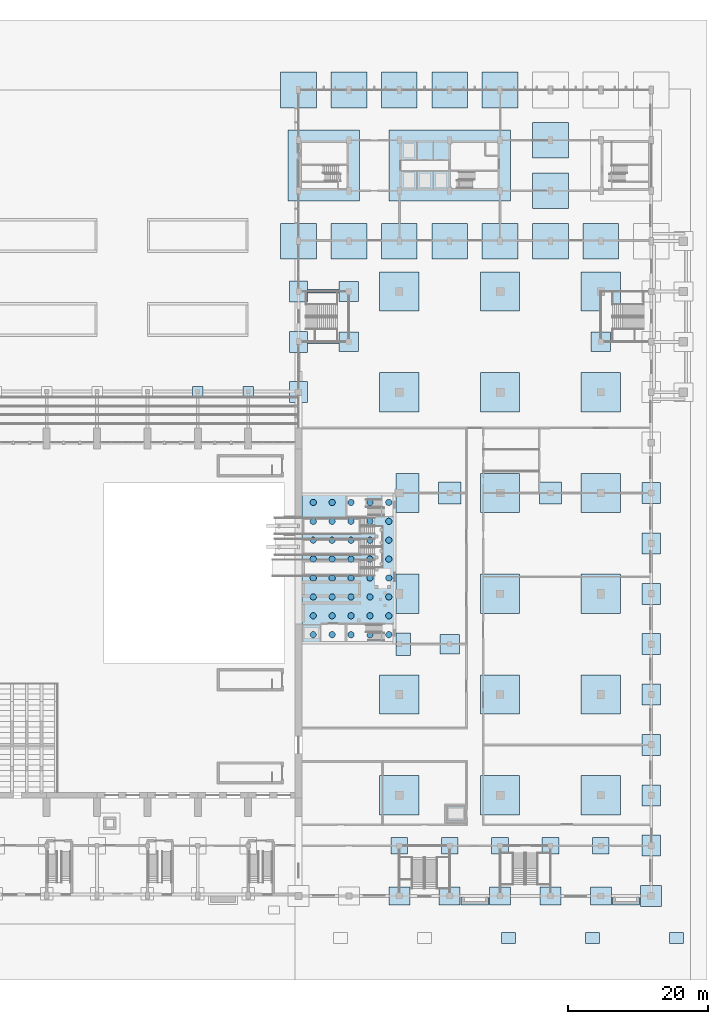
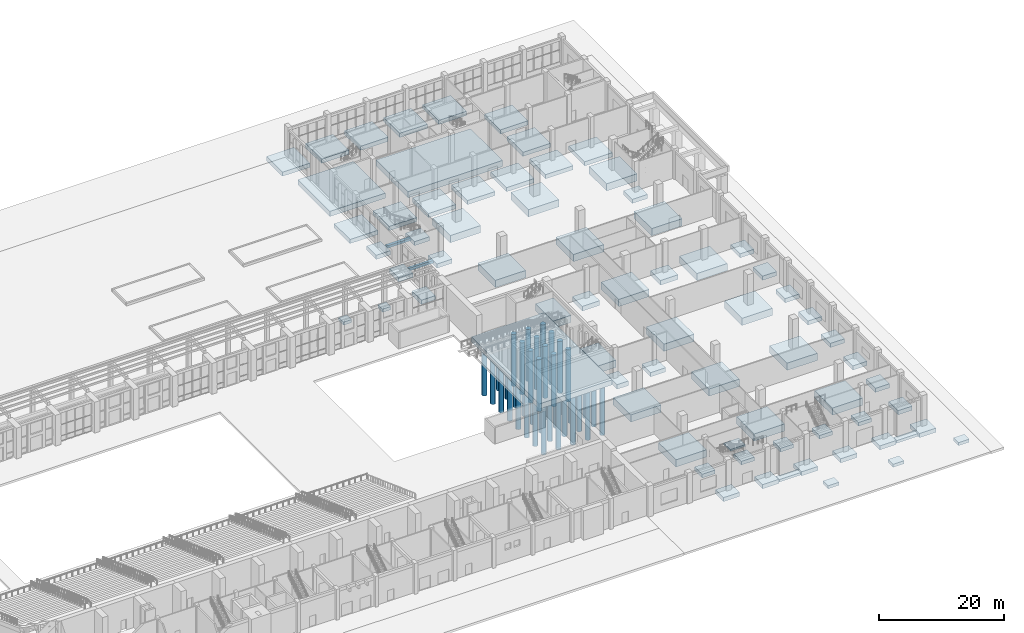
# One storey, part 2 of 70: 74 footings, 40 piles.
"""IFC4 building model written with IfcOpenShell, lengths in metres."""

from ifc_helpers import new_model, si_unit, direction, frame, origin, origin_2d, place, context, subcontext, project, spatial, polyline, rectangle, circle, outline, extrude, material, layer, layer_set, material_profile, profile_set, type_object, element, save


model = new_model("IFC4")

# Units and contexts
model_context = context("Model", 3, precision=1e-05, world=origin(), true_north=direction((0.0, 1.0)))
body_context = subcontext(model_context, "Body", "Model", "MODEL_VIEW")
ifc_project = project(units=[si_unit("LENGTHUNIT", "METRE"), si_unit("AREAUNIT", "SQUARE_METRE"), si_unit("VOLUMEUNIT", "CUBIC_METRE"), si_unit("PLANEANGLEUNIT", "RADIAN"), si_unit("MASSUNIT", "GRAM", prefix="KILO")], contexts=[model_context])

# Site, building, storey
site_placement = place(None, origin())
site = spatial("IfcSite", under=ifc_project, at=site_placement, CompositionType="ELEMENT")
building_placement = place(site_placement, origin())
building = spatial("IfcBuilding", under=site, at=building_placement, Name="Vermilion Court Aquatics Centre", CompositionType="ELEMENT")
storey_placement = place(building_placement, origin())
storey = spatial("IfcBuildingStorey", under=building, at=storey_placement, Name="L00", CompositionType="ELEMENT", Elevation=0.0)

# Footings
ifc_material_1 = material(Name="Concrete 5000 psi", Category="concrete")
ifc_layer_1 = layer(ifc_material_1, 0.60009765625)
ifc_layer_set_1 = layer_set([ifc_layer_1], Name="Court arcade pad footing 1500")
footing_type_1 = type_object("IfcFootingType", Name="Court arcade pad footing 1500", PredefinedType="PAD_FOOTING", material=ifc_layer_set_1)
footing_1_placement = place(storey_placement, frame((0.0, 0.0, -1.050048828125)))
element("IfcFooting", 1, at=footing_1_placement, inside=storey, type_object=footing_type_1, Name="Court arcade pad footing 17", PredefinedType="PAD_FOOTING", context=body_context, shape_type="SweptSolid", body=[
    extrude(outline(polyline([(128.85009765625, 71.35009765625), (130.35009765625, 71.35009765625), (130.35009765625, 72.85009765625), (128.85009765625, 72.85009765625), (128.85009765625, 71.35009765625)])), origin(), (0.0, 0.0, 1.0), 0.60009765625),
])
footing_2_placement = place(storey_placement, frame((0.0, 0.0, -1.050048828125)))
element("IfcFooting", 2, at=footing_2_placement, inside=storey, type_object=footing_type_1, Name="Court arcade pad footing 18", PredefinedType="PAD_FOOTING", context=body_context, shape_type="SweptSolid", body=[
    extrude(outline(polyline([(136.050048828125, 71.35009765625), (137.550048828125, 71.35009765625), (137.550048828125, 72.85009765625), (136.050048828125, 72.85009765625), (136.050048828125, 71.35009765625)])), origin(), (0.0, 0.0, 1.0), 0.60009765625),
])

# Piles
ifc_material_2 = material(Name="Concrete 5000 psi", Category="concrete")
ifc_material_profile = material_profile(ifc_material_2, circle(Radius=0.449951171875, at=origin_2d()), Name="D900")
ifc_profile_set = profile_set([ifc_material_profile], Name="Concrete 5000 psi")
pile_type = type_object("IfcPileType", Name="Hall diving tower bored pile 900", PredefinedType="BORED", material=ifc_profile_set)
for number, where, z_axis, x_axis, name in (
    (3, (146.10009765625, 37.35009765625, -1.304931640625), (0.0, 0.0, -1.0), (1.0, 0.0, 0.0), "Diving tower bored pile"),
    (4, (146.10009765625, 40.050048828125, -1.304931640625), (0.0, 0.0, -1.0), (1.0, 0.0, 0.0), "Diving tower bored pile"),
    (5, (146.10009765625, 42.75, -1.304931640625), (0.0, 0.0, -1.0), (1.0, 0.0, 0.0), "Diving tower bored pile"),
    (6, (146.10009765625, 45.449951171875, -1.304931640625), (0.0, 0.0, -1.0), (1.0, 0.0, 0.0), "Diving tower bored pile"),
    (7, (146.10009765625, 48.14990234375, -1.304931640625), (0.0, 0.0, -1.0), (1.0, 0.0, 0.0), "Diving tower bored pile"),
    (8, (146.10009765625, 50.85009765625, -1.304931640625), (0.0, 0.0, -1.0), (1.0, 0.0, 0.0), "Diving tower bored pile"),
    (9, (146.10009765625, 53.550048828125, -1.304931640625), (0.0, 0.0, -1.0), (1.0, 0.0, 0.0), "Diving tower bored pile"),
    (10, (146.10009765625, 56.25, -1.304931640625), (0.0, 0.0, -1.0), (1.0, 0.0, 0.0), "Diving tower bored pile"),
    (11, (148.800048828125, 37.35009765625, -1.304931640625), (0.0, 0.0, -1.0), (1.0, 0.0, 0.0), "Diving tower bored pile"),
    (12, (148.800048828125, 40.050048828125, -1.304931640625), (0.0, 0.0, -1.0), (1.0, 0.0, 0.0), "Diving tower bored pile"),
    (13, (148.800048828125, 42.75, -1.304931640625), (0.0, 0.0, -1.0), (1.0, 0.0, 0.0), "Diving tower bored pile"),
    (14, (148.800048828125, 45.449951171875, -1.304931640625), (0.0, 0.0, -1.0), (1.0, 0.0, 0.0), "Diving tower bored pile"),
    (15, (148.800048828125, 48.14990234375, -1.304931640625), (0.0, 0.0, -1.0), (1.0, 0.0, 0.0), "Diving tower bored pile"),
    (16, (148.800048828125, 50.85009765625, -1.304931640625), (0.0, 0.0, -1.0), (1.0, 0.0, 0.0), "Diving tower bored pile"),
    (17, (148.800048828125, 53.550048828125, -1.304931640625), (0.0, 0.0, -1.0), (1.0, 0.0, 0.0), "Diving tower bored pile"),
    (18, (148.800048828125, 56.25, -1.304931640625), (0.0, 0.0, -1.0), (1.0, 0.0, 0.0), "Diving tower bored pile"),
    (19, (151.5, 37.35009765625, -1.304931640625), (0.0, 0.0, -1.0), (1.0, 0.0, 0.0), "Diving tower bored pile"),
    (20, (151.5, 40.050048828125, -1.304931640625), (0.0, 0.0, -1.0), (1.0, 0.0, 0.0), "Diving tower bored pile"),
    (21, (151.5, 42.75, -1.304931640625), (0.0, 0.0, -1.0), (1.0, 0.0, 0.0), "Diving tower bored pile"),
    (22, (151.5, 45.449951171875, -1.304931640625), (0.0, 0.0, -1.0), (1.0, 0.0, 0.0), "Diving tower bored pile"),
    (23, (151.5, 48.14990234375, -1.304931640625), (0.0, 0.0, -1.0), (1.0, 0.0, 0.0), "Diving tower bored pile"),
    (24, (151.5, 50.85009765625, -1.304931640625), (0.0, 0.0, -1.0), (1.0, 0.0, 0.0), "Diving tower bored pile"),
    (25, (151.5, 53.550048828125, -1.304931640625), (0.0, 0.0, -1.0), (1.0, 0.0, 0.0), "Diving tower bored pile"),
    (26, (151.5, 56.25, -1.304931640625), (0.0, 0.0, -1.0), (1.0, 0.0, 0.0), "Diving tower bored pile"),
    (27, (154.199951171875, 37.35009765625, -1.304931640625), (0.0, 0.0, -1.0), (1.0, 0.0, 0.0), "Diving tower bored pile"),
    (28, (154.199951171875, 40.050048828125, -1.304931640625), (0.0, 0.0, -1.0), (1.0, 0.0, 0.0), "Diving tower bored pile"),
    (29, (154.199951171875, 42.75, -1.304931640625), (0.0, 0.0, -1.0), (1.0, 0.0, 0.0), "Diving tower bored pile"),
    (30, (154.199951171875, 45.449951171875, -1.304931640625), (0.0, 0.0, -1.0), (1.0, 0.0, 0.0), "Diving tower bored pile"),
    (31, (154.199951171875, 48.14990234375, -1.304931640625), (0.0, 0.0, -1.0), (1.0, 0.0, 0.0), "Diving tower bored pile"),
    (32, (154.199951171875, 50.85009765625, -1.304931640625), (0.0, 0.0, -1.0), (1.0, 0.0, 0.0), "Diving tower bored pile"),
    (33, (154.199951171875, 53.550048828125, -1.304931640625), (0.0, 0.0, -1.0), (1.0, 0.0, 0.0), "Diving tower bored pile"),
    (34, (154.199951171875, 56.25, -1.304931640625), (0.0, 0.0, -1.0), (1.0, 0.0, 0.0), "Diving tower bored pile"),
    (35, (156.89990234375, 37.35009765625, -1.304931640625), (0.0, 0.0, -1.0), (1.0, 0.0, 0.0), "Diving tower bored pile"),
    (36, (156.89990234375, 40.050048828125, -1.304931640625), (0.0, 0.0, -1.0), (1.0, 0.0, 0.0), "Diving tower bored pile"),
    (37, (156.89990234375, 42.75, -1.304931640625), (0.0, 0.0, -1.0), (1.0, 0.0, 0.0), "Diving tower bored pile"),
    (38, (156.89990234375, 45.449951171875, -1.304931640625), (0.0, 0.0, -1.0), (1.0, 0.0, 0.0), "Diving tower bored pile"),
    (39, (156.89990234375, 48.14990234375, -1.304931640625), (0.0, 0.0, -1.0), (1.0, 0.0, 0.0), "Diving tower bored pile"),
    (40, (156.89990234375, 50.85009765625, -1.304931640625), (0.0, 0.0, -1.0), (1.0, 0.0, 0.0), "Diving tower bored pile"),
    (41, (156.89990234375, 53.550048828125, -1.304931640625), (0.0, 0.0, -1.0), (1.0, 0.0, 0.0), "Diving tower bored pile"),
    (42, (156.89990234375, 56.25, -1.304931640625), (0.0, 0.0, -1.0), (1.0, 0.0, 0.0), "Diving tower bored pile"),
):
    element("IfcPile", number, at=place(storey_placement, frame(where, z_axis=z_axis, x_axis=x_axis)), inside=storey, type_object=pile_type, Name=name, PredefinedType="BORED", context=body_context, shape_type="SweptSolid", body=[
        extrude(circle(Radius=0.449951171875, at=origin_2d()), origin(), (0.0, 0.0, 1.0), 10.10009765625),
    ])

# Footings
ifc_material_3 = material(Name="Concrete 5000 psi", Category="concrete")
ifc_layer_2 = layer(ifc_material_3, 1.0)
ifc_layer_set_2 = layer_set([ifc_layer_2], Name="Hall diving tower pile cap raft 1000")
footing_type_2 = type_object("IfcFootingType", Name="Hall diving tower pile cap raft 1000", PredefinedType="PILE_CAP", material=ifc_layer_set_2)
footing_3_placement = place(storey_placement, frame((0.0, 0.0, -1.405029296875)))
element("IfcFooting", 43, at=footing_3_placement, inside=storey, type_object=footing_type_2, Name="Diving tower pile cap raft", PredefinedType="PILE_CAP", context=body_context, shape_type="SweptSolid", body=[
    extrude(outline(polyline([(144.5, 36.0), (157.89990234375, 36.0), (157.89990234375, 57.60009765625), (144.5, 57.60009765625), (144.5, 36.0)])), origin(), (0.0, 0.0, 1.0), 1.0),
])
ifc_material_4 = material(Name="Concrete 5000 psi", Category="concrete")
ifc_layer_3 = layer(ifc_material_4, 0.800048828125)
ifc_layer_set_3 = layer_set([ifc_layer_3], Name="North block column pad footing 5100x5100x800")
footing_type_3 = type_object("IfcFootingType", Name="North block column pad footing 5100x5100x800", PredefinedType="PAD_FOOTING", material=ifc_layer_set_3)
footing_4_placement = place(storey_placement, frame((0.0, 0.0, -1.5)))
element("IfcFooting", 44, at=footing_4_placement, inside=storey, type_object=footing_type_3, Name="Column pad 21P", PredefinedType="PAD_FOOTING", context=body_context, shape_type="SweptSolid", body=[
    extrude(outline(polyline([(141.449951171875, 91.050048828125), (146.550048828125, 91.050048828125), (146.550048828125, 96.14990234375), (141.449951171875, 96.14990234375), (141.449951171875, 91.050048828125)])), origin(), (0.0, 0.0, 1.0), 0.800048828125),
])
footing_5_placement = place(storey_placement, frame((0.0, 0.0, -1.5)))
element("IfcFooting", 45, at=footing_5_placement, inside=storey, type_object=footing_type_3, Name="Column pad 21S", PredefinedType="PAD_FOOTING", context=body_context, shape_type="SweptSolid", body=[
    extrude(outline(polyline([(141.449951171875, 112.64990234375), (146.550048828125, 112.64990234375), (146.550048828125, 117.75), (141.449951171875, 117.75), (141.449951171875, 112.64990234375)])), origin(), (0.0, 0.0, 1.0), 0.800048828125),
])
footing_6_placement = place(storey_placement, frame((0.0, 0.0, -1.5)))
element("IfcFooting", 46, at=footing_6_placement, inside=storey, type_object=footing_type_3, Name="Column pad 22P", PredefinedType="PAD_FOOTING", context=body_context, shape_type="SweptSolid", body=[
    extrude(outline(polyline([(148.64990234375, 91.050048828125), (153.75, 91.050048828125), (153.75, 96.14990234375), (148.64990234375, 96.14990234375), (148.64990234375, 91.050048828125)])), origin(), (0.0, 0.0, 1.0), 0.800048828125),
])
footing_7_placement = place(storey_placement, frame((0.0, 0.0, -1.5)))
element("IfcFooting", 47, at=footing_7_placement, inside=storey, type_object=footing_type_3, Name="Column pad 22S", PredefinedType="PAD_FOOTING", context=body_context, shape_type="SweptSolid", body=[
    extrude(outline(polyline([(148.64990234375, 112.64990234375), (153.75, 112.64990234375), (153.75, 117.75), (148.64990234375, 117.75), (148.64990234375, 112.64990234375)])), origin(), (0.0, 0.0, 1.0), 0.800048828125),
])
footing_8_placement = place(storey_placement, frame((0.0, 0.0, -1.5)))
element("IfcFooting", 48, at=footing_8_placement, inside=storey, type_object=footing_type_3, Name="Column pad 23P", PredefinedType="PAD_FOOTING", context=body_context, shape_type="SweptSolid", body=[
    extrude(outline(polyline([(155.85009765625, 91.050048828125), (160.949951171875, 91.050048828125), (160.949951171875, 96.14990234375), (155.85009765625, 96.14990234375), (155.85009765625, 91.050048828125)])), origin(), (0.0, 0.0, 1.0), 0.800048828125),
])
footing_9_placement = place(storey_placement, frame((0.0, 0.0, -1.5)))
element("IfcFooting", 49, at=footing_9_placement, inside=storey, type_object=footing_type_3, Name="Column pad 23S", PredefinedType="PAD_FOOTING", context=body_context, shape_type="SweptSolid", body=[
    extrude(outline(polyline([(155.85009765625, 112.64990234375), (160.949951171875, 112.64990234375), (160.949951171875, 117.75), (155.85009765625, 117.75), (155.85009765625, 112.64990234375)])), origin(), (0.0, 0.0, 1.0), 0.800048828125),
])
footing_10_placement = place(storey_placement, frame((0.0, 0.0, -1.5)))
element("IfcFooting", 50, at=footing_10_placement, inside=storey, type_object=footing_type_3, Name="Column pad 24P", PredefinedType="PAD_FOOTING", context=body_context, shape_type="SweptSolid", body=[
    extrude(outline(polyline([(163.050048828125, 91.050048828125), (168.14990234375, 91.050048828125), (168.14990234375, 96.14990234375), (163.050048828125, 96.14990234375), (163.050048828125, 91.050048828125)])), origin(), (0.0, 0.0, 1.0), 0.800048828125),
])
footing_11_placement = place(storey_placement, frame((0.0, 0.0, -1.5)))
element("IfcFooting", 51, at=footing_11_placement, inside=storey, type_object=footing_type_3, Name="Column pad 24S", PredefinedType="PAD_FOOTING", context=body_context, shape_type="SweptSolid", body=[
    extrude(outline(polyline([(163.050048828125, 112.64990234375), (168.14990234375, 112.64990234375), (168.14990234375, 117.75), (163.050048828125, 117.75), (163.050048828125, 112.64990234375)])), origin(), (0.0, 0.0, 1.0), 0.800048828125),
])
footing_12_placement = place(storey_placement, frame((0.0, 0.0, -1.5)))
element("IfcFooting", 52, at=footing_12_placement, inside=storey, type_object=footing_type_3, Name="Column pad 25P", PredefinedType="PAD_FOOTING", context=body_context, shape_type="SweptSolid", body=[
    extrude(outline(polyline([(170.25, 91.050048828125), (175.35009765625, 91.050048828125), (175.35009765625, 96.14990234375), (170.25, 96.14990234375), (170.25, 91.050048828125)])), origin(), (0.0, 0.0, 1.0), 0.800048828125),
])
footing_13_placement = place(storey_placement, frame((0.0, 0.0, -1.5)))
element("IfcFooting", 53, at=footing_13_placement, inside=storey, type_object=footing_type_3, Name="Column pad 25S", PredefinedType="PAD_FOOTING", context=body_context, shape_type="SweptSolid", body=[
    extrude(outline(polyline([(170.25, 112.64990234375), (175.35009765625, 112.64990234375), (175.35009765625, 117.75), (170.25, 117.75), (170.25, 112.64990234375)])), origin(), (0.0, 0.0, 1.0), 0.800048828125),
])
footing_14_placement = place(storey_placement, frame((0.0, 0.0, -1.5)))
element("IfcFooting", 54, at=footing_14_placement, inside=storey, type_object=footing_type_3, Name="Column pad 26P", PredefinedType="PAD_FOOTING", context=body_context, shape_type="SweptSolid", body=[
    extrude(outline(polyline([(177.449951171875, 91.050048828125), (182.550048828125, 91.050048828125), (182.550048828125, 96.14990234375), (177.449951171875, 96.14990234375), (177.449951171875, 91.050048828125)])), origin(), (0.0, 0.0, 1.0), 0.800048828125),
])
footing_15_placement = place(storey_placement, frame((0.0, 0.0, -1.5)))
element("IfcFooting", 55, at=footing_15_placement, inside=storey, type_object=footing_type_3, Name="Column pad 26Q", PredefinedType="PAD_FOOTING", context=body_context, shape_type="SweptSolid", body=[
    extrude(outline(polyline([(177.449951171875, 98.25), (182.550048828125, 98.25), (182.550048828125, 103.35009765625), (177.449951171875, 103.35009765625), (177.449951171875, 98.25)])), origin(), (0.0, 0.0, 1.0), 0.800048828125),
])
footing_16_placement = place(storey_placement, frame((0.0, 0.0, -1.5)))
element("IfcFooting", 56, at=footing_16_placement, inside=storey, type_object=footing_type_3, Name="Column pad 26R", PredefinedType="PAD_FOOTING", context=body_context, shape_type="SweptSolid", body=[
    extrude(outline(polyline([(177.449951171875, 105.449951171875), (182.550048828125, 105.449951171875), (182.550048828125, 110.550048828125), (177.449951171875, 110.550048828125), (177.449951171875, 105.449951171875)])), origin(), (0.0, 0.0, 1.0), 0.800048828125),
])
footing_17_placement = place(storey_placement, frame((0.0, 0.0, -1.5)))
element("IfcFooting", 57, at=footing_17_placement, inside=storey, type_object=footing_type_3, Name="Column pad 27P", PredefinedType="PAD_FOOTING", context=body_context, shape_type="SweptSolid", body=[
    extrude(outline(polyline([(184.64990234375, 91.050048828125), (189.75, 91.050048828125), (189.75, 96.14990234375), (184.64990234375, 96.14990234375), (184.64990234375, 91.050048828125)])), origin(), (0.0, 0.0, 1.0), 0.800048828125),
])
ifc_material_5 = material(Name="Concrete 5000 psi", Category="concrete")
ifc_layer_4 = layer(ifc_material_5, 1.199951171875)
ifc_layer_set_4 = layer_set([ifc_layer_4], Name="North block core raft 17400x10200x1200")
footing_type_4 = type_object("IfcFootingType", Name="North block core raft 17400x10200x1200", PredefinedType="PAD_FOOTING", material=ifc_layer_set_4)
footing_18_placement = place(storey_placement, frame((0.0, 0.0, -3.0)))
element("IfcFooting", 58, at=footing_18_placement, inside=storey, type_object=footing_type_4, Name="Core raft", PredefinedType="PAD_FOOTING", context=body_context, shape_type="SweptSolid", body=[
    extrude(outline(polyline([(156.89990234375, 99.300048828125), (174.300048828125, 99.300048828125), (174.300048828125, 109.5), (156.89990234375, 109.5), (156.89990234375, 99.300048828125)])), origin(), (0.0, 0.0, 1.0), 1.199951171875),
])
ifc_material_6 = material(Name="Concrete 5000 psi", Category="concrete")
ifc_layer_5 = layer(ifc_material_6, 1.0)
ifc_layer_set_5 = layer_set([ifc_layer_5], Name="North block stair raft 10200x10200x1000")
footing_type_5 = type_object("IfcFootingType", Name="North block stair raft 10200x10200x1000", PredefinedType="PAD_FOOTING", material=ifc_layer_set_5)
footing_19_placement = place(storey_placement, frame((0.0, 0.0, -1.60009765625)))
element("IfcFooting", 59, at=footing_19_placement, inside=storey, type_object=footing_type_5, Name="Stair 1 raft", PredefinedType="PAD_FOOTING", context=body_context, shape_type="SweptSolid", body=[
    extrude(outline(polyline([(142.5, 99.300048828125), (152.699951171875, 99.300048828125), (152.699951171875, 109.5), (142.5, 109.5), (142.5, 99.300048828125)])), origin(), (0.0, 0.0, 1.0), 1.0),
])
ifc_material_7 = material(Name="Concrete 5000 psi", Category="concrete")
ifc_layer_6 = layer(ifc_material_7, 0.60009765625)
ifc_layer_set_6 = layer_set([ifc_layer_6], Name="Podium apron sub-base pad 2000x1600x600")
footing_type_6 = type_object("IfcFootingType", Name="Podium apron sub-base pad 2000x1600x600", PredefinedType="PAD_FOOTING", material=ifc_layer_set_6)
for number, where, z_axis, x_axis, name in (
    (60, (174.0, -6.0, -0.97998046875), (0.0, 0.0, 1.0), (1.0, 0.0, 0.0), "Apron sub-base pad 3"),
    (61, (186.0, -6.0, -0.97998046875), (0.0, 0.0, 1.0), (1.0, 0.0, 0.0), "Apron sub-base pad 4"),
    (62, (198.0, -6.0, -0.97998046875), (0.0, 0.0, 1.0), (1.0, 0.0, 0.0), "Apron sub-base pad 5"),
):
    element("IfcFooting", number, at=place(storey_placement, frame(where, z_axis=z_axis, x_axis=x_axis)), inside=storey, type_object=footing_type_6, Name=name, PredefinedType="PAD_FOOTING", context=body_context, shape_type="SweptSolid", body=[
        extrude(rectangle(XDim=2.0, YDim=1.60009765625, at=origin_2d()), origin(), (0.0, 0.0, 1.0), 0.60009765625),
    ])
ifc_material_8 = material(Name="Concrete 5000 psi", Category="concrete")
ifc_layer_7 = layer(ifc_material_8, 0.5)
ifc_layer_set_7 = layer_set([ifc_layer_7], Name="Podium bay footing 3900x1050x500")
footing_type_7 = type_object("IfcFootingType", Name="Podium bay footing 3900x1050x500", PredefinedType="PAD_FOOTING", material=ifc_layer_set_7)
for number, where, z_axis, x_axis, name in (
    (63, (169.199951171875, -0.72509765625, -1.0), (0.0, 0.0, 1.0), (1.0, 0.0, 0.0), "Projecting bay footing"),
    (64, (190.800048828125, -0.72509765625, -1.0), (0.0, 0.0, 1.0), (1.0, 0.0, 0.0), "Projecting bay footing"),
):
    element("IfcFooting", number, at=place(storey_placement, frame(where, z_axis=z_axis, x_axis=x_axis)), inside=storey, type_object=footing_type_7, Name=name, PredefinedType="PAD_FOOTING", context=body_context, shape_type="SweptSolid", body=[
        extrude(rectangle(XDim=3.89990234375, YDim=1.050048828125, at=origin_2d()), origin(), (0.0, 0.0, 1.0), 0.5),
    ])
ifc_material_9 = material(Name="Concrete 5000 psi", Category="concrete")
ifc_layer_8 = layer(ifc_material_9, 0.300048828125)
ifc_layer_set_8 = layer_set([ifc_layer_8], Name="Podium lift pit footing 300")
footing_type_8 = type_object("IfcFootingType", Name="Podium lift pit footing 300", PredefinedType="PAD_FOOTING", material=ifc_layer_set_8)
footing_20_placement = place(storey_placement, frame((166.5, 11.800048828125, -1.5), z_axis=(0.0, 0.0, 1.0), x_axis=(1.0, 0.0, 0.0)))
element("IfcFooting", 65, at=footing_20_placement, inside=storey, type_object=footing_type_8, Name="Service lift pit footing", PredefinedType="PAD_FOOTING", context=body_context, shape_type="SweptSolid", body=[
    extrude(rectangle(XDim=2.75, YDim=2.14990234375, at=origin_2d()), origin(), (0.0, 0.0, 1.0), 0.300048828125),
])
ifc_material_10 = material(Name="Concrete 5000 psi", Category="concrete")
ifc_layer_9 = layer(ifc_material_10, 0.89990234375)
ifc_layer_set_9 = layer_set([ifc_layer_9], Name="Podium pad footing 2100x3200x900")
footing_type_9 = type_object("IfcFootingType", Name="Podium pad footing 2100x3200x900", PredefinedType="PAD_FOOTING", material=ifc_layer_set_9)
footing_21_placement = place(storey_placement, frame((158.949951171875, 36.0, -1.280029296875), z_axis=(0.0, 0.0, 1.0), x_axis=(1.0, 0.0, 0.0)))
element("IfcFooting", 66, at=footing_21_placement, inside=storey, type_object=footing_type_9, Name="Pad footing 23/F", PredefinedType="PAD_FOOTING", context=body_context, shape_type="SweptSolid", body=[
    extrude(rectangle(XDim=2.10009765625, YDim=3.199951171875, at=origin_2d()), origin(), (0.0, 0.0, 1.0), 0.89990234375),
])
ifc_material_11 = material(Name="Concrete 5000 psi", Category="concrete")
ifc_layer_10 = layer(ifc_material_11, 0.699951171875)
ifc_layer_set_10 = layer_set([ifc_layer_10], Name="Podium pad footing 2400x2400x700")
footing_type_10 = type_object("IfcFootingType", Name="Podium pad footing 2400x2400x700", PredefinedType="PAD_FOOTING", material=ifc_layer_set_10)
for number, where, z_axis, x_axis, name in (
    (67, (158.39990234375, 7.199951171875, -1.080078125), (0.0, 0.0, 1.0), (1.0, 0.0, 0.0), "Pad footing 23/B"),
    (68, (165.60009765625, 7.199951171875, -1.080078125), (0.0, 0.0, 1.0), (1.0, 0.0, 0.0), "Pad footing 24/B"),
    (69, (172.800048828125, 7.199951171875, -1.080078125), (0.0, 0.0, 1.0), (1.0, 0.0, 0.0), "Pad footing 25/B"),
    (70, (180.0, 7.199951171875, -1.080078125), (0.0, 0.0, 1.0), (1.0, 0.0, 0.0), "Pad footing 26/B"),
    (71, (187.199951171875, 7.199951171875, -1.080078125), (0.0, 0.0, 1.0), (1.0, 0.0, 0.0), "Pad footing 27/B"),
):
    element("IfcFooting", number, at=place(storey_placement, frame(where, z_axis=z_axis, x_axis=x_axis)), inside=storey, type_object=footing_type_10, Name=name, PredefinedType="PAD_FOOTING", context=body_context, shape_type="SweptSolid", body=[
        extrude(rectangle(XDim=2.39990234375, YDim=2.39990234375, at=origin_2d()), origin(), (0.0, 0.0, 1.0), 0.699951171875),
    ])
ifc_material_12 = material(Name="Concrete 5000 psi", Category="concrete")
ifc_layer_11 = layer(ifc_material_12, 0.800048828125)
ifc_layer_set_11 = layer_set([ifc_layer_11], Name="Podium pad footing 2600x3000x800")
footing_type_11 = type_object("IfcFootingType", Name="Podium pad footing 2600x3000x800", PredefinedType="PAD_FOOTING", material=ifc_layer_set_11)
for number, where, z_axis, x_axis, name in (
    (72, (144.0, 72.0, -1.2998046875), (0.0, 0.0, 1.0), (1.0, 0.0, 0.0), "Pad footing 21/L"),
    (73, (144.0, 79.199951171875, -1.2998046875), (0.0, 0.0, 1.0), (1.0, 0.0, 0.0), "Pad footing 21/M"),
    (74, (144.0, 86.39990234375, -1.2998046875), (0.0, 0.0, 1.0), (1.0, 0.0, 0.0), "Pad footing 21/N"),
    (75, (194.39990234375, 7.199951171875, -1.18017578125), (0.0, 0.0, 1.0), (1.0, 0.0, 0.0), "Pad footing 28/B"),
    (76, (194.39990234375, 14.39990234375, -1.18017578125), (0.0, 0.0, 1.0), (1.0, 0.0, 0.0), "Pad footing 28/C"),
    (77, (194.39990234375, 21.60009765625, -1.18017578125), (0.0, 0.0, 1.0), (1.0, 0.0, 0.0), "Pad footing 28/D"),
    (78, (194.39990234375, 28.800048828125, -1.18017578125), (0.0, 0.0, 1.0), (1.0, 0.0, 0.0), "Pad footing 28/E"),
    (79, (194.39990234375, 36.0, -1.18017578125), (0.0, 0.0, 1.0), (1.0, 0.0, 0.0), "Pad footing 28/F"),
    (80, (194.39990234375, 43.199951171875, -1.18017578125), (0.0, 0.0, 1.0), (1.0, 0.0, 0.0), "Pad footing 28/G"),
    (81, (194.39990234375, 50.39990234375, -1.18017578125), (0.0, 0.0, 1.0), (1.0, 0.0, 0.0), "Pad footing 28/H"),
    (82, (194.39990234375, 57.60009765625, -1.18017578125), (0.0, 0.0, 1.0), (1.0, 0.0, 0.0), "Pad footing 28/J"),
):
    element("IfcFooting", number, at=place(storey_placement, frame(where, z_axis=z_axis, x_axis=x_axis)), inside=storey, type_object=footing_type_11, Name=name, PredefinedType="PAD_FOOTING", context=body_context, shape_type="SweptSolid", body=[
        extrude(rectangle(XDim=2.60009765625, YDim=3.0, at=origin_2d()), origin(), (0.0, 0.0, 1.0), 0.800048828125),
    ])
ifc_material_13 = material(Name="Concrete 5000 psi", Category="concrete")
ifc_layer_12 = layer(ifc_material_13, 0.800048828125)
ifc_layer_set_12 = layer_set([ifc_layer_12], Name="Podium pad footing 2800x2800x800")
footing_type_12 = type_object("IfcFootingType", Name="Podium pad footing 2800x2800x800", PredefinedType="PAD_FOOTING", material=ifc_layer_set_12)
for number, where, z_axis, x_axis, name in (
    (83, (151.199951171875, 79.199951171875, -1.18017578125), (0.0, 0.0, 1.0), (1.0, 0.0, 0.0), "Pad footing 22/M"),
    (84, (151.199951171875, 86.39990234375, -1.18017578125), (0.0, 0.0, 1.0), (1.0, 0.0, 0.0), "Pad footing 22/N"),
    (85, (165.60009765625, 36.0, -1.18017578125), (0.0, 0.0, 1.0), (1.0, 0.0, 0.0), "Pad footing 24/F"),
    (86, (187.199951171875, 79.199951171875, -1.18017578125), (0.0, 0.0, 1.0), (1.0, 0.0, 0.0), "Pad footing 27/M"),
):
    element("IfcFooting", number, at=place(storey_placement, frame(where, z_axis=z_axis, x_axis=x_axis)), inside=storey, type_object=footing_type_12, Name=name, PredefinedType="PAD_FOOTING", context=body_context, shape_type="SweptSolid", body=[
        extrude(rectangle(XDim=2.800048828125, YDim=2.800048828125, at=origin_2d()), origin(), (0.0, 0.0, 1.0), 0.800048828125),
    ])
ifc_material_14 = material(Name="Concrete 5000 psi", Category="concrete")
ifc_layer_13 = layer(ifc_material_14, 0.800048828125)
ifc_layer_set_13 = layer_set([ifc_layer_13], Name="Podium pad footing 3000x2600x800")
footing_type_13 = type_object("IfcFootingType", Name="Podium pad footing 3000x2600x800", PredefinedType="PAD_FOOTING", material=ifc_layer_set_13)
for number, where, z_axis, x_axis, name in (
    (87, (158.39990234375, 0.0, -1.18017578125), (0.0, 0.0, 1.0), (1.0, 0.0, 0.0), "Pad footing 23/A"),
    (88, (165.60009765625, 0.0, -1.18017578125), (0.0, 0.0, 1.0), (1.0, 0.0, 0.0), "Pad footing 24/A"),
    (89, (172.800048828125, 0.0, -1.18017578125), (0.0, 0.0, 1.0), (1.0, 0.0, 0.0), "Pad footing 25/A"),
    (90, (180.0, 0.0, -1.18017578125), (0.0, 0.0, 1.0), (1.0, 0.0, 0.0), "Pad footing 26/A"),
    (91, (187.199951171875, 0.0, -1.18017578125), (0.0, 0.0, 1.0), (1.0, 0.0, 0.0), "Pad footing 27/A"),
):
    element("IfcFooting", number, at=place(storey_placement, frame(where, z_axis=z_axis, x_axis=x_axis)), inside=storey, type_object=footing_type_13, Name=name, PredefinedType="PAD_FOOTING", context=body_context, shape_type="SweptSolid", body=[
        extrude(rectangle(XDim=3.0, YDim=2.60009765625, at=origin_2d()), origin(), (0.0, 0.0, 1.0), 0.800048828125),
    ])
ifc_material_15 = material(Name="Concrete 5000 psi", Category="concrete")
ifc_layer_14 = layer(ifc_material_15, 0.800048828125)
ifc_layer_set_14 = layer_set([ifc_layer_14], Name="Podium pad footing 3000x3000x800")
footing_type_14 = type_object("IfcFootingType", Name="Podium pad footing 3000x3000x800", PredefinedType="PAD_FOOTING", material=ifc_layer_set_14)
footing_22_placement = place(storey_placement, frame((194.39990234375, 0.0, -1.18017578125), z_axis=(0.0, 0.0, 1.0), x_axis=(1.0, 0.0, 0.0)))
element("IfcFooting", 92, at=footing_22_placement, inside=storey, type_object=footing_type_14, Name="Pad footing 28/A", PredefinedType="PAD_FOOTING", context=body_context, shape_type="SweptSolid", body=[
    extrude(rectangle(XDim=3.0, YDim=3.0, at=origin_2d()), origin(), (0.0, 0.0, 1.0), 0.800048828125),
])
ifc_material_16 = material(Name="Concrete 5000 psi", Category="concrete")
ifc_layer_15 = layer(ifc_material_16, 0.89990234375)
ifc_layer_set_15 = layer_set([ifc_layer_15], Name="Podium pad footing 3200x3200x900")
footing_type_15 = type_object("IfcFootingType", Name="Podium pad footing 3200x3200x900", PredefinedType="PAD_FOOTING", material=ifc_layer_set_15)
for number, where, z_axis, x_axis, name in (
    (93, (165.60009765625, 57.60009765625, -1.280029296875), (0.0, 0.0, 1.0), (1.0, 0.0, 0.0), "Pad footing 24/J"),
    (94, (180.0, 57.60009765625, -1.280029296875), (0.0, 0.0, 1.0), (1.0, 0.0, 0.0), "Pad footing 26/J"),
):
    element("IfcFooting", number, at=place(storey_placement, frame(where, z_axis=z_axis, x_axis=x_axis)), inside=storey, type_object=footing_type_15, Name=name, PredefinedType="PAD_FOOTING", context=body_context, shape_type="SweptSolid", body=[
        extrude(rectangle(XDim=3.199951171875, YDim=3.199951171875, at=origin_2d()), origin(), (0.0, 0.0, 1.0), 0.89990234375),
    ])
ifc_material_17 = material(Name="Concrete 5000 psi", Category="concrete")
ifc_layer_16 = layer(ifc_material_17, 1.39990234375)
ifc_layer_set_16 = layer_set([ifc_layer_16], Name="Podium pad footing 3300x5600x1400")
footing_type_16 = type_object("IfcFootingType", Name="Podium pad footing 3300x5600x1400", PredefinedType="PAD_FOOTING", material=ifc_layer_set_16)
for number, where, z_axis, x_axis, name in (
    (95, (159.550048828125, 43.199951171875, -1.780029296875), (0.0, 0.0, 1.0), (1.0, 0.0, 0.0), "Pad footing 23/G"),
    (96, (159.550048828125, 57.60009765625, -1.780029296875), (0.0, 0.0, 1.0), (1.0, 0.0, 0.0), "Pad footing 23/J"),
):
    element("IfcFooting", number, at=place(storey_placement, frame(where, z_axis=z_axis, x_axis=x_axis)), inside=storey, type_object=footing_type_16, Name=name, PredefinedType="PAD_FOOTING", context=body_context, shape_type="SweptSolid", body=[
        extrude(rectangle(XDim=3.300048828125, YDim=5.60009765625, at=origin_2d()), origin(), (0.0, 0.0, 1.0), 1.39990234375),
    ])
ifc_material_18 = material(Name="Concrete 5000 psi", Category="concrete")
ifc_layer_17 = layer(ifc_material_18, 1.39990234375)
ifc_layer_set_17 = layer_set([ifc_layer_17], Name="Podium pad footing 5600x5600x1400")
footing_type_17 = type_object("IfcFootingType", Name="Podium pad footing 5600x5600x1400", PredefinedType="PAD_FOOTING", material=ifc_layer_set_17)
for number, where, z_axis, x_axis, name in (
    (97, (158.39990234375, 14.39990234375, -1.780029296875), (0.0, 0.0, 1.0), (1.0, 0.0, 0.0), "Pad footing 23/C"),
    (98, (158.39990234375, 28.800048828125, -1.780029296875), (0.0, 0.0, 1.0), (1.0, 0.0, 0.0), "Pad footing 23/E"),
    (99, (158.39990234375, 72.0, -1.780029296875), (0.0, 0.0, 1.0), (1.0, 0.0, 0.0), "Pad footing 23/L"),
    (100, (158.39990234375, 86.39990234375, -1.780029296875), (0.0, 0.0, 1.0), (1.0, 0.0, 0.0), "Pad footing 23/N"),
    (101, (172.800048828125, 14.39990234375, -1.780029296875), (0.0, 0.0, 1.0), (1.0, 0.0, 0.0), "Pad footing 25/C"),
    (102, (172.800048828125, 28.800048828125, -1.780029296875), (0.0, 0.0, 1.0), (1.0, 0.0, 0.0), "Pad footing 25/E"),
    (103, (172.800048828125, 43.199951171875, -1.780029296875), (0.0, 0.0, 1.0), (1.0, 0.0, 0.0), "Pad footing 25/G"),
    (104, (172.800048828125, 57.60009765625, -1.780029296875), (0.0, 0.0, 1.0), (1.0, 0.0, 0.0), "Pad footing 25/J"),
    (105, (172.800048828125, 72.0, -1.780029296875), (0.0, 0.0, 1.0), (1.0, 0.0, 0.0), "Pad footing 25/L"),
    (106, (172.800048828125, 86.39990234375, -1.780029296875), (0.0, 0.0, 1.0), (1.0, 0.0, 0.0), "Pad footing 25/N"),
    (107, (187.199951171875, 14.39990234375, -1.780029296875), (0.0, 0.0, 1.0), (1.0, 0.0, 0.0), "Pad footing 27/C"),
    (108, (187.199951171875, 28.800048828125, -1.780029296875), (0.0, 0.0, 1.0), (1.0, 0.0, 0.0), "Pad footing 27/E"),
    (109, (187.199951171875, 43.199951171875, -1.780029296875), (0.0, 0.0, 1.0), (1.0, 0.0, 0.0), "Pad footing 27/G"),
    (110, (187.199951171875, 57.60009765625, -1.780029296875), (0.0, 0.0, 1.0), (1.0, 0.0, 0.0), "Pad footing 27/J"),
    (111, (187.199951171875, 72.0, -1.780029296875), (0.0, 0.0, 1.0), (1.0, 0.0, 0.0), "Pad footing 27/L"),
    (112, (187.199951171875, 86.39990234375, -1.780029296875), (0.0, 0.0, 1.0), (1.0, 0.0, 0.0), "Pad footing 27/N"),
):
    element("IfcFooting", number, at=place(storey_placement, frame(where, z_axis=z_axis, x_axis=x_axis)), inside=storey, type_object=footing_type_17, Name=name, PredefinedType="PAD_FOOTING", context=body_context, shape_type="SweptSolid", body=[
        extrude(rectangle(XDim=5.60009765625, YDim=5.60009765625, at=origin_2d()), origin(), (0.0, 0.0, 1.0), 1.39990234375),
    ])
ifc_material_19 = material(Name="Concrete 5000 psi", Category="concrete")
ifc_layer_18 = layer(ifc_material_19, 0.5)
ifc_layer_set_18 = layer_set([ifc_layer_18], Name="Podium strip footing 500x500")
footing_type_18 = type_object("IfcFootingType", Name="Podium strip footing 500x500", PredefinedType="STRIP_FOOTING", material=ifc_layer_set_18)
for number, where, z_axis, x_axis, name in (
    (113, (147.550048828125, 79.199951171875, -0.8798828125), (0.0, 0.0, 1.0), (1.0, 0.0, 0.0), "Strip footing, west stair wall"),
    (114, (147.550048828125, 86.39990234375, -0.8798828125), (0.0, 0.0, 1.0), (1.0, 0.0, 0.0), "Strip footing, west stair wall"),
):
    element("IfcFooting", number, at=place(storey_placement, frame(where, z_axis=z_axis, x_axis=x_axis)), inside=storey, type_object=footing_type_18, Name=name, PredefinedType="STRIP_FOOTING", context=body_context, shape_type="SweptSolid", body=[
        extrude(rectangle(XDim=4.5, YDim=0.5, at=origin_2d()), origin(), (0.0, 0.0, 1.0), 0.5),
    ])

save(model, "model.ifc")
